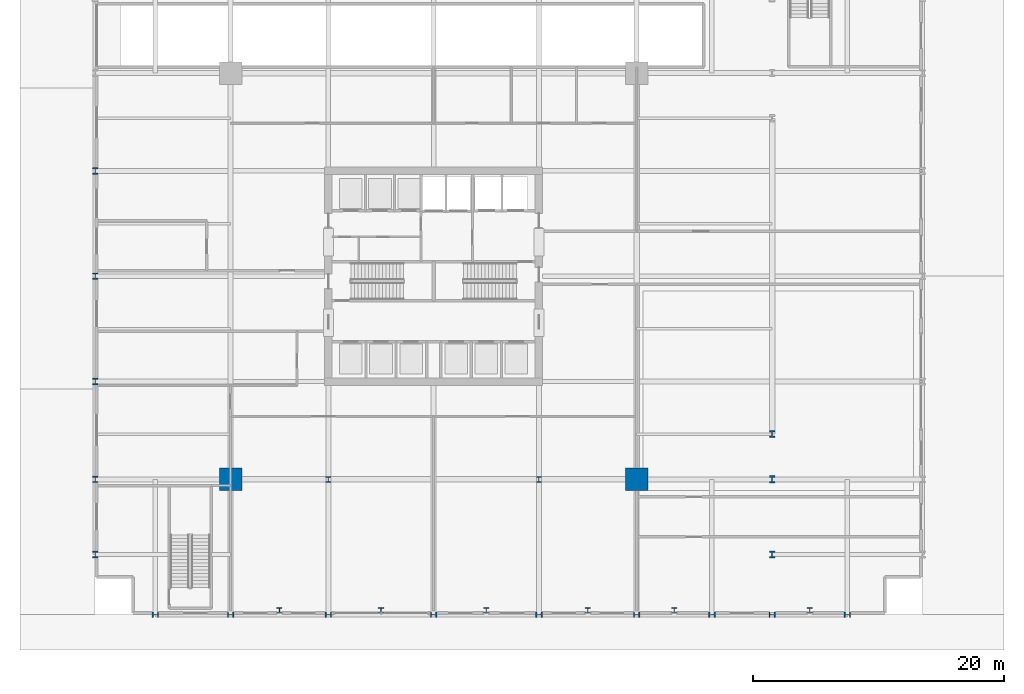
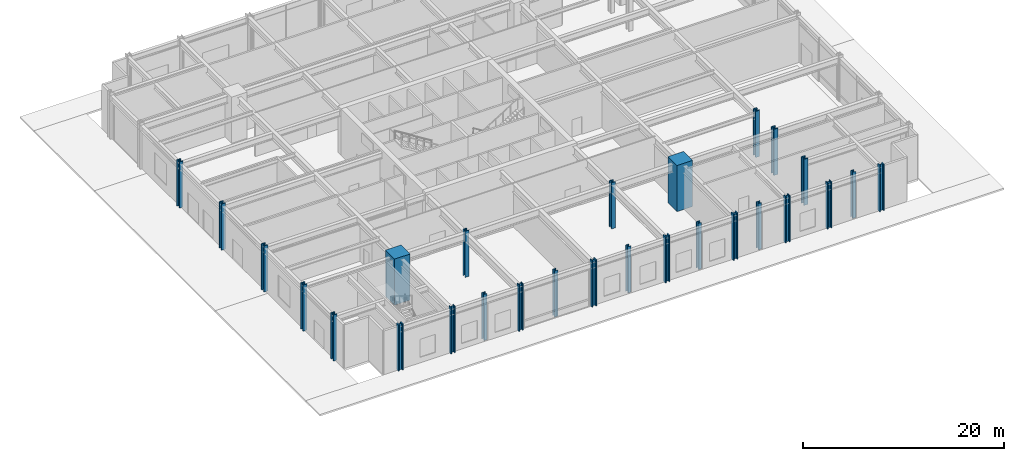
# One storey, part 1 of 21: 27 columns.
"""IFC4 building model written with IfcOpenShell, lengths in metres."""

import ifcopenshell
import ifcopenshell.guid

model = None  # the IFC model being written
_history = None  # IfcOwnerHistory: only IFC2X3 demands one
_inside = {}  # id of a spatial element -> (the spatial element, [elements in it])
_under = {}  # id of a project, library or spatial element -> (it, [spatial elements below it])
_declared = {}  # id of a project -> (the project, [libraries it declares])
_typed = {}  # id of a type object -> (the type object, [elements of that type])
_made_of = {}  # id of a material, layer set ... -> (it, [elements and type objects made of it])


def new_model(schema):
    """Start an empty IFC model of exactly this schema.

    Asked for "IFC4X3", IfcOpenShell would pick the latest addendum, in which some entities
    have other attributes; the version numbers below select the first issue.
    IFC2X3 requires an IfcOwnerHistory on every rooted entity: one is made here for all.
    """
    global model, _history
    if schema == "IFC4X3":
        model = ifcopenshell.file(schema_version=(4, 3, 0, 0))
    else:
        model = ifcopenshell.file(schema=schema)
    _inside.clear()
    _under.clear()
    _declared.clear()
    _typed.clear()
    _made_of.clear()
    _history = None
    if model.schema == "IFC2X3":
        org = make("IfcOrganization", Name="unknown")
        user = make(
            "IfcPersonAndOrganization",
            ThePerson=make("IfcPerson", FamilyName="unknown"),
            TheOrganization=org,
        )
        app = make(
            "IfcApplication",
            ApplicationDeveloper=org,
            Version="unknown",
            ApplicationFullName="unknown",
            ApplicationIdentifier="unknown",
        )
        _history = make(
            "IfcOwnerHistory",
            OwningUser=user,
            OwningApplication=app,
            ChangeAction="ADDED",
            CreationDate=0,
        )
    return model


def make(cls, **values):
    """One entity of the class cls with the attributes given. An attribute that is None is left unset."""
    return model.create_entity(
        cls, **{name: value for name, value in values.items() if value is not None}
    )


def rooted(cls, **values):
    """An entity with a GlobalId (a new one), such as an element, a storey or a relation."""
    return make(cls, GlobalId=ifcopenshell.guid.new(), OwnerHistory=_history, **values)


def si_unit(unit_type, name, prefix=None):
    """IfcSIUnit, for example si_unit("LENGTHUNIT", "METRE", prefix="MILLI")."""
    return make("IfcSIUnit", UnitType=unit_type, Prefix=prefix, Name=name)


def assignment(units):
    """IfcUnitAssignment: the units of a project."""
    return None if units is None else make("IfcUnitAssignment", Units=units)


def point(xyz):
    """IfcCartesianPoint."""
    return None if xyz is None else make("IfcCartesianPoint", Coordinates=xyz)


def direction(xyz):
    """IfcDirection."""
    return None if xyz is None else make("IfcDirection", DirectionRatios=xyz)


def frame(location, z_axis=None, x_axis=None):
    """IfcAxis2Placement3D, a coordinate frame: its origin and axes. An axis left out is left unset."""
    return make(
        "IfcAxis2Placement3D",
        Location=point(location),
        Axis=direction(z_axis),
        RefDirection=direction(x_axis),
    )


def frame_2d(location, x_axis=None):
    """IfcAxis2Placement2D, a coordinate frame in the plane: its origin and x axis."""
    return make(
        "IfcAxis2Placement2D", Location=point(location), RefDirection=direction(x_axis)
    )


def origin():
    """The frame at (0, 0, 0) with its axes left unset."""
    return frame((0.0, 0.0, 0.0))


def origin_2d():
    """The frame at (0, 0) in the plane with its x axis left unset."""
    return frame_2d((0.0, 0.0))


def place(relative_to, where):
    """IfcLocalPlacement: puts the frame where relative to a parent placement (None: the world)."""
    return make(
        "IfcLocalPlacement", PlacementRelTo=relative_to, RelativePlacement=where
    )


def context(
    kind, dimensions, precision=None, world=None, true_north=None, identifier=None
):
    """IfcGeometricRepresentationContext, for example the 3D "Model" context."""
    return make(
        "IfcGeometricRepresentationContext",
        ContextIdentifier=identifier,
        ContextType=kind,
        CoordinateSpaceDimension=dimensions,
        Precision=precision,
        WorldCoordinateSystem=world,
        TrueNorth=true_north,
    )


def subcontext(parent, identifier, kind, view, scale=None):
    """IfcGeometricRepresentationSubContext, for example "Body" below "Model"."""
    return make(
        "IfcGeometricRepresentationSubContext",
        ContextIdentifier=identifier,
        ContextType=kind,
        ParentContext=parent,
        TargetScale=scale,
        TargetView=view,
    )


def project(units=None, contexts=None):
    """IfcProject with its units and contexts."""
    return rooted(
        "IfcProject",
        Name="project",
        RepresentationContexts=contexts,
        UnitsInContext=assignment(units),
    )


def spatial(cls, under=None, at=None, **own):
    """A site, building, storey or space (cls), placed at a placement, below another one or the project."""
    s = rooted(cls, ObjectPlacement=at, **own)
    if under is not None:
        _under.setdefault(under.id(), (under, []))[1].append(s)
    return s


def profile(cls, at=None, kind="AREA", **sizes):
    """A parametric profile (cls). Its sizes go by their IFC names, for example OverallWidth=200.0."""
    return make(cls, ProfileType=kind, Position=at, **sizes)


def rectangle(**sizes):
    """IfcRectangleProfileDef."""
    return profile("IfcRectangleProfileDef", **sizes)


def i_section(**sizes):
    """IfcIShapeProfileDef."""
    return profile("IfcIShapeProfileDef", **sizes)


def extrude(swept, where, along, depth):
    """IfcExtrudedAreaSolid: the profile swept, set in the frame where, extruded along a direction by depth."""
    return make(
        "IfcExtrudedAreaSolid",
        SweptArea=swept,
        Position=where,
        ExtrudedDirection=direction(along),
        Depth=depth,
    )


def shape(context_of_items, identifier, shape_type, items):
    """IfcShapeRepresentation: the items that make up one representation, for example the "Body"."""
    return make(
        "IfcShapeRepresentation",
        ContextOfItems=context_of_items,
        RepresentationIdentifier=identifier,
        RepresentationType=shape_type,
        Items=items,
    )


def material(Name=None, Category=None):
    """IfcMaterial."""
    return make("IfcMaterial", Name=Name, Category=Category)


def material_profile(
    of_material, cross_section, Name=None, Category=None, Priority=None
):
    """IfcMaterialProfile: a cross section and its material."""
    return make(
        "IfcMaterialProfile",
        Name=Name,
        Material=of_material,
        Profile=cross_section,
        Priority=Priority,
        Category=Category,
    )


def profile_set(profiles, Name=None, composite=None):
    """IfcMaterialProfileSet."""
    return make(
        "IfcMaterialProfileSet",
        Name=Name,
        MaterialProfiles=profiles,
        CompositeProfile=composite,
    )


def made_of(thing, what):
    """Note that an element or type object is made of a material, layer set ...; save() writes the relation."""
    if what is not None:
        _made_of.setdefault(what.id(), (what, []))[1].append(thing)
    return thing


def type_object(cls, material=None, **own):
    """A type object (cls), such as IfcWallType, which elements share."""
    return made_of(rooted(cls, **own), material)


def element(
    cls,
    number,
    at=None,
    inside=None,
    cuts=None,
    type_object=None,
    material=None,
    context=None,
    identifier="Body",
    shape_type=None,
    held_by="IfcProductDefinitionShape",
    body=None,
    shapes=None,
    **own,
):
    """One element of the class cls, such as IfcWall. Its Tag is "e" and its number.

    at: its placement. inside: the storey or other place that contains it. cuts: it is an
    opening in that element (IfcRelVoidsElement). A single representation is given by context,
    identifier, shape_type and body (its items); several are given by shapes. held_by: the class
    of the entity that holds the representations. save() writes the other relations.
    """
    e = rooted(cls, Tag="e%d" % number, ObjectPlacement=at, **own)
    if body is not None:
        shapes = [shape(context, identifier, shape_type, body)]
    if shapes is not None:
        e.Representation = make(held_by, Representations=shapes)
    if inside is not None:
        _inside.setdefault(inside.id(), (inside, []))[1].append(e)
    if cuts is not None:
        rooted(
            "IfcRelVoidsElement", RelatingBuildingElement=cuts, RelatedOpeningElement=e
        )
    if type_object is not None:
        _typed.setdefault(type_object.id(), (type_object, []))[1].append(e)
    return made_of(e, material)


def aggregate(whole, parts):
    """IfcRelAggregates: a whole, such as a stair, and the parts it consists of."""
    return rooted("IfcRelAggregates", RelatingObject=whole, RelatedObjects=parts)


def save(model, path):
    """Write the relations noted so far, then the file.

    IfcRelAggregates (storeys below a building ...), IfcRelContainedInSpatialStructure (elements
    in a storey), IfcRelDefinesByType, IfcRelAssociatesMaterial and IfcRelDeclares: one each for
    every whole, place, type object, material and project.
    """
    for whole, parts in _under.values():
        aggregate(whole, parts)
    for where, things in _inside.values():
        rooted(
            "IfcRelContainedInSpatialStructure",
            RelatedElements=things,
            RelatingStructure=where,
        )
    for kind, things in _typed.values():
        rooted("IfcRelDefinesByType", RelatedObjects=things, RelatingType=kind)
    for what, things in _made_of.values():
        rooted("IfcRelAssociatesMaterial", RelatedObjects=things, RelatingMaterial=what)
    for by, libraries in _declared.values():
        rooted("IfcRelDeclares", RelatingContext=by, RelatedDefinitions=libraries)
    model.write(path)


model = new_model("IFC4")

# Units and contexts
model_context = context("Model", 3, precision=1e-05, world=origin(), true_north=direction((0.0, 1.0)))
body_context = subcontext(model_context, "Body", "Model", "MODEL_VIEW")
ifc_project = project(units=[si_unit("LENGTHUNIT", "METRE"), si_unit("AREAUNIT", "SQUARE_METRE"), si_unit("VOLUMEUNIT", "CUBIC_METRE"), si_unit("PLANEANGLEUNIT", "RADIAN"), si_unit("MASSUNIT", "GRAM", prefix="KILO")], contexts=[model_context])

# Site, building, storey
site_placement = place(None, origin())
site = spatial("IfcSite", under=ifc_project, at=site_placement, CompositionType="ELEMENT")
building_placement = place(site_placement, origin())
building = spatial("IfcBuilding", under=site, at=building_placement, Name="Drelvath Grand Hotel", CompositionType="ELEMENT")
storey_placement = place(building_placement, origin())
storey = spatial("IfcBuildingStorey", under=building, at=storey_placement, Name="L00", CompositionType="ELEMENT", Elevation=0.0)

# Columns
ifc_material_1 = material(Name="Steel ASTM A913 Gr 65", Category="steel")
ifc_material_profile_1 = material_profile(ifc_material_1, i_section(OverallWidth=0.4013671875, OverallDepth=0.3994140625, WebThickness=0.02490234375, FlangeThickness=0.03955078125, FilletRadius=0.02490234375, at=origin_2d()), Name="W14X211")
ifc_profile_set_1 = profile_set([ifc_material_profile_1], Name="Steel ASTM A913 Gr 65")
column_type_1 = type_object("IfcColumnType", Name="Colonnade Steel Pilaster W14X211", PredefinedType="COLUMN", material=ifc_profile_set_1)
for number, where, z_axis, x_axis, name in (
    (1, (-12.300048828125, 0.35009765625, 0.0), (0.0, 0.0, 1.0), (1.0, 0.0, 0.0), "L00 Colonnade Pilaster PIL-S1"),
    (2, (-4.199951171875, 0.35009765625, 0.0), (0.0, 0.0, 1.0), (1.0, 0.0, 0.0), "L00 Colonnade Pilaster PIL-S2"),
    (3, (4.199951171875, 0.35009765625, 0.0), (0.0, 0.0, 1.0), (1.0, 0.0, 0.0), "L00 Colonnade Pilaster PIL-S3"),
    (4, (12.300048828125, 0.35009765625, 0.0), (0.0, 0.0, 1.0), (1.0, 0.0, 0.0), "L00 Colonnade Pilaster PIL-S4"),
    (5, (19.199951171875, 0.35009765625, 0.0), (0.0, 0.0, 1.0), (1.0, 0.0, 0.0), "L00 Colonnade Pilaster PIL-S5"),
    (6, (30.0, 0.35009765625, 0.0), (0.0, 0.0, 1.0), (1.0, 0.0, 0.0), "L00 Colonnade Pilaster PIL-S6"),
):
    element("IfcColumn", number, at=place(storey_placement, frame(where, z_axis=z_axis, x_axis=x_axis)), inside=storey, type_object=column_type_1, Name=name, PredefinedType="COLUMN", context=body_context, shape_type="SweptSolid", body=[
        extrude(i_section(OverallWidth=0.4013671875, OverallDepth=0.3994140625, WebThickness=0.02490234375, FlangeThickness=0.03955078125, FilletRadius=0.02490234375, at=origin_2d()), origin(), (0.0, 0.0, 1.0), 5.60009765625),
    ])
ifc_material_2 = material(Name="Concrete f'c 70 MPa", Category="concrete")
ifc_material_profile_2 = material_profile(ifc_material_2, rectangle(XDim=1.800048828125, YDim=1.800048828125, at=origin_2d()), Name="MC1800X1800")
ifc_profile_set_2 = profile_set([ifc_material_profile_2], Name="Concrete f'c 70 MPa")
column_type_2 = type_object("IfcColumnType", Name="Composite Mega Column MC1800X1800", PredefinedType="COLUMN", material=ifc_profile_set_2)
for number, where, z_axis, x_axis, name in (
    (7, (-16.199951171875, 10.800048828125, 0.0), (0.0, 0.0, 1.0), (1.0, 0.0, 0.0), "L00 Composite Mega Column MC-SW"),
    (8, (16.199951171875, 10.800048828125, 0.0), (0.0, 0.0, 1.0), (1.0, 0.0, 0.0), "L00 Composite Mega Column MC-SE"),
):
    element("IfcColumn", number, at=place(storey_placement, frame(where, z_axis=z_axis, x_axis=x_axis)), inside=storey, type_object=column_type_2, Name=name, PredefinedType="COLUMN", context=body_context, shape_type="SweptSolid", body=[
        extrude(rectangle(XDim=1.800048828125, YDim=1.800048828125, at=origin_2d()), origin(), (0.0, 0.0, 1.0), 5.60009765625),
    ])
ifc_material_profile_3 = material_profile(ifc_material_1, i_section(OverallWidth=0.424072265625, OverallDepth=0.47412109375, WebThickness=0.047607421875, FlangeThickness=0.0771484375, FilletRadius=0.030029296875, at=origin_2d()), Name="W14X426")
ifc_profile_set_3 = profile_set([ifc_material_profile_3], Name="Steel ASTM A913 Gr 65")
column_type_3 = type_object("IfcColumnType", Name="Perimeter Steel Column W14X426", PredefinedType="COLUMN", material=ifc_profile_set_3)
for number, where, z_axis, x_axis, name in (
    (9, (-8.39990234375, 10.800048828125, 0.0), (0.0, 0.0, 1.0), (1.0, 0.0, 0.0), "L00 Structural Column PCP4-C"),
    (10, (8.39990234375, 10.800048828125, 0.0), (0.0, 0.0, 1.0), (1.0, 0.0, 0.0), "L00 Structural Column PCP6-C"),
):
    element("IfcColumn", number, at=place(storey_placement, frame(where, z_axis=z_axis, x_axis=x_axis)), inside=storey, type_object=column_type_3, Name=name, PredefinedType="COLUMN", context=body_context, shape_type="SweptSolid", body=[
        extrude(i_section(OverallWidth=0.424072265625, OverallDepth=0.47412109375, WebThickness=0.047607421875, FlangeThickness=0.0771484375, FilletRadius=0.030029296875, at=origin_2d()), origin(), (0.0, 0.0, 1.0), 5.60009765625),
    ])
ifc_material_profile_4 = material_profile(ifc_material_1, i_section(OverallWidth=0.44189453125, OverallDepth=0.531494140625, WebThickness=0.06591796875, FlangeThickness=0.105712890625, FilletRadius=0.030029296875, at=origin_2d()), Name="W14X605")
ifc_profile_set_4 = profile_set([ifc_material_profile_4], Name="Steel ASTM A913 Gr 65")
column_type_4 = type_object("IfcColumnType", Name="Perimeter Steel Column W14X605", PredefinedType="COLUMN", material=ifc_profile_set_4)
for number, where, z_axis, x_axis, name in (
    (11, (-27.0, 4.800048828125, 0.0), (0.0, 0.0, 1.0), (1.0, 0.0, 0.0), "L00 Structural Column PCW-B"),
    (12, (-27.0, 10.800048828125, 0.0), (0.0, 0.0, 1.0), (1.0, 0.0, 0.0), "L00 Structural Column PCW-C"),
    (13, (-27.0, 18.60009765625, 0.0), (0.0, 0.0, 1.0), (1.0, 0.0, 0.0), "L00 Structural Column PCW-D"),
    (14, (-27.0, 27.0, 0.0), (0.0, 0.0, 1.0), (1.0, 0.0, 0.0), "L00 Structural Column PCW-E"),
    (15, (-27.0, 35.39990234375, 0.0), (0.0, 0.0, 1.0), (1.0, 0.0, 0.0), "L00 Structural Column PCW-F"),
    (16, (-22.199951171875, 0.0, 0.0), (0.0, 0.0, 1.0), (0.0, 1.0, 0.0), "L00 Structural Column PCS-2"),
    (17, (-16.199951171875, 0.0, 0.0), (0.0, 0.0, 1.0), (0.0, 1.0, 0.0), "L00 Structural Column PCS-3"),
    (18, (-8.39990234375, 0.0, 0.0), (0.0, 0.0, 1.0), (0.0, 1.0, 0.0), "L00 Structural Column PCS-4"),
    (19, (0.0, 0.0, 0.0), (0.0, 0.0, 1.0), (0.0, 1.0, 0.0), "L00 Structural Column PCS-5"),
    (20, (8.39990234375, 0.0, 0.0), (0.0, 0.0, 1.0), (0.0, 1.0, 0.0), "L00 Structural Column PCS-6"),
    (21, (16.199951171875, 0.0, 0.0), (0.0, 0.0, 1.0), (0.0, 1.0, 0.0), "L00 Structural Column PCS-7"),
    (22, (22.199951171875, 0.0, 0.0), (0.0, 0.0, 1.0), (0.0, 1.0, 0.0), "L00 Structural Column PCS-8"),
    (23, (27.0, 0.0, 0.0), (0.0, 0.0, 1.0), (0.0, 1.0, 0.0), "L00 Structural Column PCS-9"),
    (24, (33.0, 0.0, 0.0), (0.0, 0.0, 1.0), (0.0, 1.0, 0.0), "L00 Structural Column PCS-10"),
):
    element("IfcColumn", number, at=place(storey_placement, frame(where, z_axis=z_axis, x_axis=x_axis)), inside=storey, type_object=column_type_4, Name=name, PredefinedType="COLUMN", context=body_context, shape_type="SweptSolid", body=[
        extrude(i_section(OverallWidth=0.44189453125, OverallDepth=0.531494140625, WebThickness=0.06591796875, FlangeThickness=0.105712890625, FilletRadius=0.030029296875, at=origin_2d()), origin(), (0.0, 0.0, 1.0), 5.60009765625),
    ])
ifc_material_profile_5 = material_profile(ifc_material_1, i_section(OverallWidth=0.454345703125, OverallDepth=0.569091796875, WebThickness=0.077880859375, FlangeThickness=0.124755859375, FilletRadius=0.030029296875, at=origin_2d()), Name="W14X730")
ifc_profile_set_5 = profile_set([ifc_material_profile_5], Name="Steel ASTM A913 Gr 65")
column_type_5 = type_object("IfcColumnType", Name="Perimeter Steel Column W14X730", PredefinedType="COLUMN", material=ifc_profile_set_5)
for number, where, z_axis, x_axis, name in (
    (25, (27.0, 4.800048828125, 0.0), (0.0, 0.0, 1.0), (1.0, 0.0, 0.0), "L00 Structural Column PCP9-B"),
    (26, (27.0, 10.800048828125, 0.0), (0.0, 0.0, 1.0), (1.0, 0.0, 0.0), "L00 Structural Column PCP9-C"),
    (27, (27.0, 14.39990234375, 0.0), (0.0, 0.0, 1.0), (1.0, 0.0, 0.0), "L00 Structural Column PCP9-AT1"),
):
    element("IfcColumn", number, at=place(storey_placement, frame(where, z_axis=z_axis, x_axis=x_axis)), inside=storey, type_object=column_type_5, Name=name, PredefinedType="COLUMN", context=body_context, shape_type="SweptSolid", body=[
        extrude(i_section(OverallWidth=0.454345703125, OverallDepth=0.569091796875, WebThickness=0.077880859375, FlangeThickness=0.124755859375, FilletRadius=0.030029296875, at=origin_2d()), origin(), (0.0, 0.0, 1.0), 5.60009765625),
    ])

save(model, "model.ifc")
